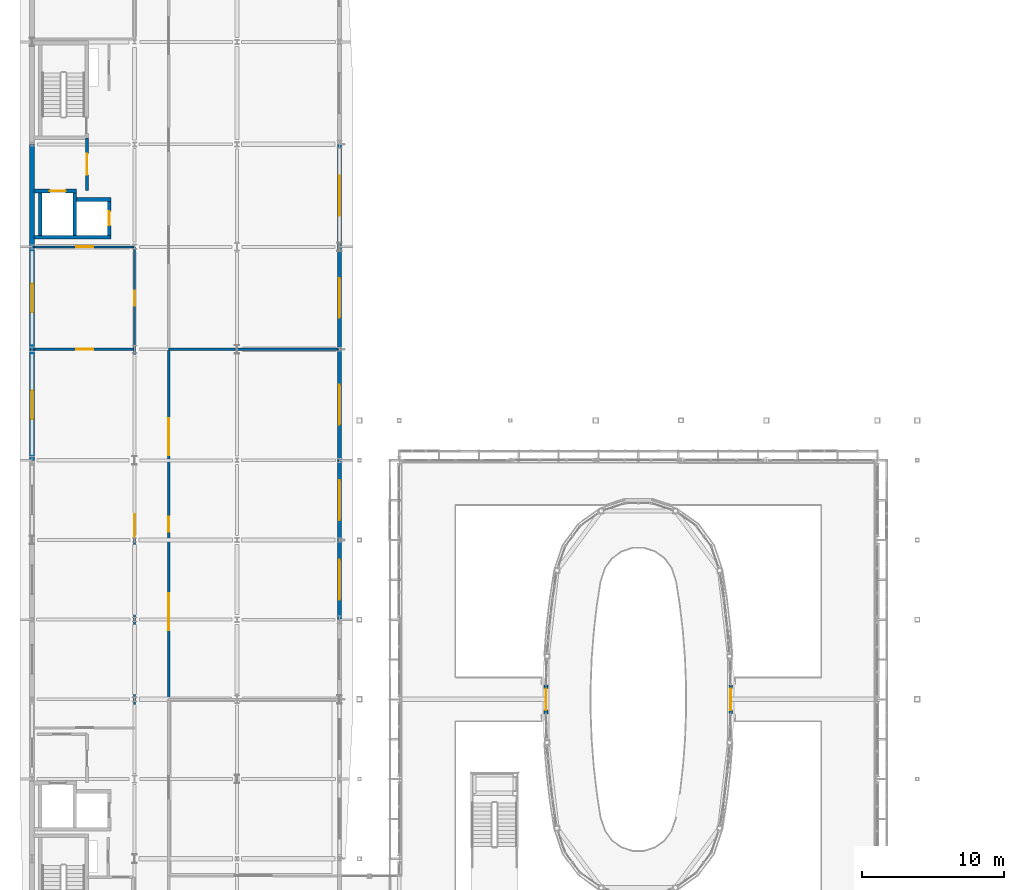
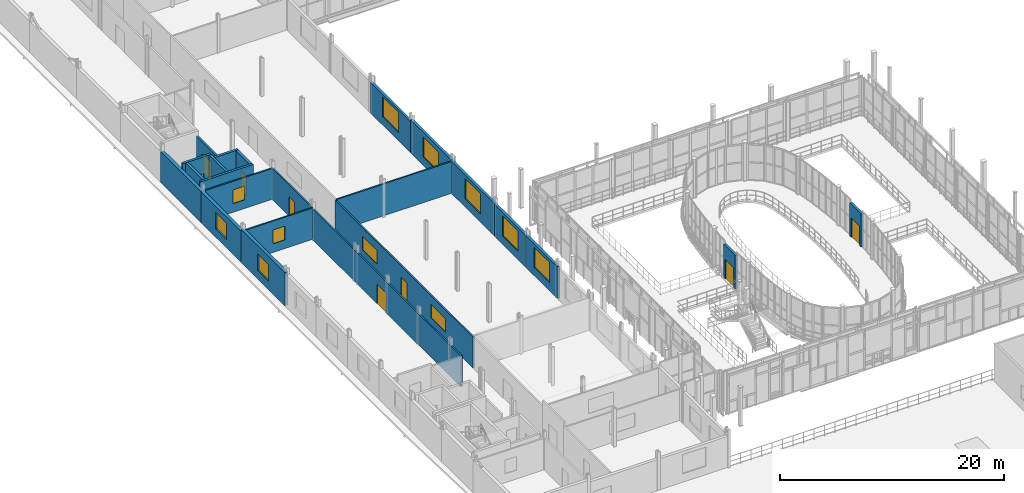
# One storey, part 116 of 138: 23 walls, 11 windows, 8 doors, 19 openings.
"""IFC4 building model written with IfcOpenShell, lengths in metres."""

from ifc_helpers import new_model, si_unit, direction, frame, frame_2d, origin, place, context, subcontext, project, spatial, rectangle, extrude, material, layer, layer_set, type_object, element, fill, save


model = new_model("IFC4")

# Units and contexts
model_context = context("Model", 3, precision=1e-05, world=origin(), true_north=direction((0.0, 1.0)))
body_context = subcontext(model_context, "Body", "Model", "MODEL_VIEW")
ifc_project = project(units=[si_unit("LENGTHUNIT", "METRE"), si_unit("AREAUNIT", "SQUARE_METRE"), si_unit("VOLUMEUNIT", "CUBIC_METRE"), si_unit("PLANEANGLEUNIT", "RADIAN"), si_unit("MASSUNIT", "GRAM", prefix="KILO")], contexts=[model_context])

# Site, building, storey
site_placement = place(None, origin())
site = spatial("IfcSite", under=ifc_project, at=site_placement, CompositionType="ELEMENT")
building_placement = place(site_placement, origin())
building = spatial("IfcBuilding", under=site, at=building_placement, Name="Vinh Khe Railworks Police Headquarters", CompositionType="ELEMENT")
storey_placement = place(building_placement, frame((0.0, 0.0, 9.0)))
storey = spatial("IfcBuildingStorey", under=building, at=storey_placement, Name="L02", CompositionType="ELEMENT", Elevation=9.0)

# Wall
ifc_material_1 = material(Name="Concrete C40/50 (B40)", Category="concrete")
ifc_layer_1 = layer(ifc_material_1, 0.25)
ifc_layer_set_1 = layer_set([ifc_layer_1], Name="Concrete C40/50 (B40)")
wall_type_1 = type_object("IfcWallType", Name="Core Shear Wall 250", PredefinedType="SHEAR", material=ifc_layer_set_1)
wall_1_placement = place(storey_placement, frame((0.75, 74.47509765625, 0.0), z_axis=(0.0, 0.0, 1.0), x_axis=(1.0, 0.0, 0.0)))
element("IfcWall", 1, at=wall_1_placement, inside=storey, type_object=wall_type_1, Name="Core C2 FL-S Lift Shaft Wall (L02)", PredefinedType="SHEAR", context=body_context, shape_type="SweptSolid", body=[
    extrude(rectangle(XDim=5.39990234375, YDim=0.25, at=frame_2d((2.699951171875, 0.0))), origin(), (0.0, 0.0, 1.0), 3.97998046875),
])

# Wall, opening, door
wall_2_placement = place(storey_placement, frame((0.75, 77.72509765625, 0.0), z_axis=(0.0, 0.0, 1.0), x_axis=(1.0, 0.0, 0.0)))
wall_2 = element("IfcWall", 2, at=wall_2_placement, inside=storey, type_object=wall_type_1, Name="Core C2 FL-N Lift Shaft Wall (L02)", PredefinedType="SHEAR", context=body_context, shape_type="SweptSolid", body=[
    extrude(rectangle(XDim=2.97509765625, YDim=0.25, at=frame_2d((1.487548828125, 0.0))), origin(), (0.0, 0.0, 1.0), 3.97998046875),
])
opening_1_placement = place(wall_2_placement, frame((1.10009765625, 0.0, 0.0)))
opening_1 = element("IfcOpeningElement", 3, at=opening_1_placement, cuts=wall_2, Name="Opening LD-01", PredefinedType="OPENING", context=body_context, shape_type="SweptSolid", body=[
    extrude(rectangle(XDim=1.10009765625, YDim=2.14990234375, at=frame_2d((0.550048828125, 1.074951171875))), frame((0.0, 0.139892578125, 0.0), z_axis=(0.0, -1.0, 0.0), x_axis=(1.0, 0.0, 0.0)), (0.0, 0.0, 1.0), 0.27978515625),
])
ifc_material_2 = material(Name="Painted galvanised steel", Category="steel")
door_type_1 = type_object("IfcDoorType", Name="LD-FF-1100", OperationType="SLIDING_TO_LEFT", PredefinedType="DOOR", material=ifc_material_2)
door_1_placement = place(opening_1_placement, origin())
door_1 = element("IfcDoor", 4, at=door_1_placement, inside=storey, type_object=door_type_1, Name="Firefighting Lift Landing Door FL-02 L02", OperationType="SLIDING_TO_LEFT", OverallHeight=2.14990234375, OverallWidth=1.10009765625, PredefinedType="DOOR", context=body_context, shape_type="SweptSolid", body=[
    extrude(rectangle(XDim=1.10009765625, YDim=2.14990234375, at=frame_2d((0.550048828125, 1.074951171875))), frame((0.0, 0.02490234375, 0.0), z_axis=(0.0, -1.0, 0.0), x_axis=(1.0, 0.0, 0.0)), (0.0, 0.0, 1.0), 0.050048828125),
])
fill(opening_1, door_1)

# Walls
wall_3_placement = place(storey_placement, frame((3.72509765625, 77.125, 0.0), z_axis=(0.0, 0.0, 1.0), x_axis=(1.0, 0.0, 0.0)))
element("IfcWall", 5, at=wall_3_placement, inside=storey, type_object=wall_type_1, Name="Core C2 PL-N Lift Shaft Wall (L02)", PredefinedType="SHEAR", context=body_context, shape_type="SweptSolid", body=[
    extrude(rectangle(XDim=2.4248046875, YDim=0.25, at=frame_2d((1.21240234375, 0.0))), origin(), (0.0, 0.0, 1.0), 3.97998046875),
])
for number, where, z_axis, x_axis, name in (
    (6, (1.175048828125, 74.60009765625, 0.0), (0.0, 0.0, 1.0), (0.0, 1.0, 0.0), "Core C2 FL-W Lift Shaft Wall (L02)"),
    (7, (3.60009765625, 74.60009765625, 0.0), (0.0, 0.0, 1.0), (0.0, 1.0, 0.0), "Core C2 LIFT-DIV Lift Shaft Wall (L02)"),
):
    element("IfcWall", number, at=place(storey_placement, frame(where, z_axis=z_axis, x_axis=x_axis)), inside=storey, type_object=wall_type_1, Name=name, PredefinedType="SHEAR", context=body_context, shape_type="SweptSolid", body=[
        extrude(rectangle(XDim=3.0, YDim=0.25, at=frame_2d((1.5, 0.0))), origin(), (0.0, 0.0, 1.0), 3.97998046875),
    ])

# Wall, opening, door
wall_4_placement = place(storey_placement, frame((6.02490234375, 74.60009765625, 0.0), z_axis=(0.0, 0.0, 1.0), x_axis=(0.0, 1.0, 0.0)))
wall_4 = element("IfcWall", 8, at=wall_4_placement, inside=storey, type_object=wall_type_1, Name="Core C2 PL-E Lift Shaft Wall (L02)", PredefinedType="SHEAR", context=body_context, shape_type="SweptSolid", body=[
    extrude(rectangle(XDim=2.39990234375, YDim=0.25, at=frame_2d((1.199951171875, 0.0))), origin(), (0.0, 0.0, 1.0), 3.97998046875),
])
opening_2_placement = place(wall_4_placement, frame((0.699951171875, 0.0, 0.0)))
opening_2 = element("IfcOpeningElement", 9, at=opening_2_placement, cuts=wall_4, Name="Opening LD-02", PredefinedType="OPENING", context=body_context, shape_type="SweptSolid", body=[
    extrude(rectangle(XDim=1.0, YDim=2.14990234375, at=frame_2d((0.5, 1.074951171875))), frame((0.0, 0.139892578125, 0.0), z_axis=(0.0, -1.0, 0.0), x_axis=(1.0, 0.0, 0.0)), (0.0, 0.0, 1.0), 0.27978515625),
])
door_type_2 = type_object("IfcDoorType", Name="LD-PAX-1000", OperationType="SLIDING_TO_RIGHT", PredefinedType="DOOR", material=ifc_material_2)
door_2_placement = place(opening_2_placement, frame((1.0, 0.0, 0.0), z_axis=(0.0, 0.0, 1.0), x_axis=(-1.0, 0.0, 0.0)))
door_2 = element("IfcDoor", 10, at=door_2_placement, inside=storey, type_object=door_type_2, Name="Passenger Lift Landing Door PL-02 L02", OperationType="SLIDING_TO_RIGHT", OverallHeight=2.14990234375, OverallWidth=1.0, PredefinedType="DOOR", context=body_context, shape_type="SweptSolid", body=[
    extrude(rectangle(XDim=1.0, YDim=2.14990234375, at=frame_2d((0.5, 1.074951171875))), frame((0.0, 0.02490234375, 0.0), z_axis=(0.0, -1.0, 0.0), x_axis=(1.0, 0.0, 0.0)), (0.0, 0.0, 1.0), 0.050048828125),
])
fill(opening_2, door_2)

# Wall, opening, window
ifc_material_3 = material(Name="Clay brickwork", Category="masonry")
ifc_layer_2 = layer(ifc_material_3, 0.260009765625)
ifc_layer_set_2 = layer_set([ifc_layer_2], Name="Clay brickwork")
wall_type_2 = type_object("IfcWallType", Name="EW-BRK-260", PredefinedType="SOLIDWALL", material=ifc_layer_set_2)
wall_5_placement = place(storey_placement, frame((22.199951171875, 47.60009765625, 0.0), z_axis=(0.0, 0.0, 1.0), x_axis=(0.0, 1.0, 0.0)))
wall_5 = element("IfcWall", 11, at=wall_5_placement, inside=storey, type_object=wall_type_2, Name="Exterior Brick Wall EW-L02-V5E-06", PredefinedType="SOLIDWALL", context=body_context, shape_type="SweptSolid", body=[
    extrude(rectangle(XDim=5.599853515625, YDim=0.260009765625, at=frame_2d((2.7998046875, 0.0))), origin(), (0.0, 0.0, 1.0), 3.47509765625),
])
opening_3_placement = place(wall_5_placement, frame((1.39990234375, 0.0, 0.89990234375)))
opening_3 = element("IfcOpeningElement", 12, at=opening_3_placement, cuts=wall_5, Name="Opening WN-01", PredefinedType="OPENING", context=body_context, shape_type="SweptSolid", body=[
    extrude(rectangle(XDim=2.800048828125, YDim=2.199951171875, at=frame_2d((1.39990234375, 1.10009765625))), frame((0.0, 0.14501953125, 0.0), z_axis=(0.0, -1.0, 0.0), x_axis=(1.0, 0.0, 0.0)), (0.0, 0.0, 1.0), 0.289794921875),
])
ifc_material_4 = material(Name="Double-glazed solar-control glass in dark steel frame", Category="steel")
window_type_1 = type_object("IfcWindowType", Name="WIN-WN-01", PartitioningType="DOUBLE_PANEL_VERTICAL", PredefinedType="WINDOW", material=ifc_material_4)
window_1_placement = place(opening_3_placement, origin())
window_1 = element("IfcWindow", 13, at=window_1_placement, inside=storey, type_object=window_type_1, Name="Casement Window WN-01", OverallHeight=2.199951171875, OverallWidth=2.800048828125, PartitioningType="SINGLE_PANEL", PredefinedType="WINDOW", context=body_context, shape_type="SweptSolid", body=[
    extrude(rectangle(XDim=2.800048828125, YDim=2.199951171875, at=frame_2d((1.39990234375, 1.10009765625))), frame((0.0, 0.030029296875, 0.0), z_axis=(0.0, -1.0, 0.0), x_axis=(1.0, 0.0, 0.0)), (0.0, 0.0, 1.0), 0.06005859375),
])
fill(opening_3, window_1)

wall_6_placement = place(storey_placement, frame((22.199951171875, 53.199951171875, 0.0), z_axis=(0.0, 0.0, 1.0), x_axis=(0.0, 1.0, 0.0)))
wall_6 = element("IfcWall", 14, at=wall_6_placement, inside=storey, type_object=wall_type_2, Name="Exterior Brick Wall EW-L02-V5E-07", PredefinedType="SOLIDWALL", context=body_context, shape_type="SweptSolid", body=[
    extrude(rectangle(XDim=5.60009765625, YDim=0.260009765625, at=frame_2d((2.800048828125, 0.0))), origin(), (0.0, 0.0, 1.0), 3.47509765625),
])
opening_4_placement = place(wall_6_placement, frame((1.39990234375, 0.0, 0.89990234375)))
opening_4 = element("IfcOpeningElement", 15, at=opening_4_placement, cuts=wall_6, Name="Opening WN-01", PredefinedType="OPENING", context=body_context, shape_type="SweptSolid", body=[
    extrude(rectangle(XDim=2.800048828125, YDim=2.199951171875, at=frame_2d((1.39990234375, 1.10009765625))), frame((0.0, 0.14501953125, 0.0), z_axis=(0.0, -1.0, 0.0), x_axis=(1.0, 0.0, 0.0)), (0.0, 0.0, 1.0), 0.289794921875),
])
window_2_placement = place(opening_4_placement, origin())
window_2 = element("IfcWindow", 16, at=window_2_placement, inside=storey, type_object=window_type_1, Name="Casement Window WN-01", OverallHeight=2.199951171875, OverallWidth=2.800048828125, PartitioningType="SINGLE_PANEL", PredefinedType="WINDOW", context=body_context, shape_type="SweptSolid", body=[
    extrude(rectangle(XDim=2.800048828125, YDim=2.199951171875, at=frame_2d((1.39990234375, 1.10009765625))), frame((0.0, 0.030029296875, 0.0), z_axis=(0.0, -1.0, 0.0), x_axis=(1.0, 0.0, 0.0)), (0.0, 0.0, 1.0), 0.06005859375),
])
fill(opening_4, window_2)

wall_7_placement = place(storey_placement, frame((22.199951171875, 58.800048828125, 0.0), z_axis=(0.0, 0.0, 1.0), x_axis=(0.0, 1.0, 0.0)))
wall_7 = element("IfcWall", 17, at=wall_7_placement, inside=storey, type_object=wall_type_2, Name="Exterior Brick Wall EW-L02-V5E-08", PredefinedType="SOLIDWALL", context=body_context, shape_type="SweptSolid", body=[
    extrude(rectangle(XDim=7.800048828125, YDim=0.260009765625, at=frame_2d((3.89990234375, 0.0))), origin(), (0.0, 0.0, 1.0), 3.52490234375),
])
opening_5_placement = place(wall_7_placement, frame((2.5, 0.0, 0.89990234375)))
opening_5 = element("IfcOpeningElement", 18, at=opening_5_placement, cuts=wall_7, Name="Opening WN-01", PredefinedType="OPENING", context=body_context, shape_type="SweptSolid", body=[
    extrude(rectangle(XDim=2.800048828125, YDim=2.199951171875, at=frame_2d((1.39990234375, 1.10009765625))), frame((0.0, 0.14501953125, 0.0), z_axis=(0.0, -1.0, 0.0), x_axis=(1.0, 0.0, 0.0)), (0.0, 0.0, 1.0), 0.289794921875),
])
window_3_placement = place(opening_5_placement, origin())
window_3 = element("IfcWindow", 19, at=window_3_placement, inside=storey, type_object=window_type_1, Name="Casement Window WN-01", OverallHeight=2.199951171875, OverallWidth=2.800048828125, PartitioningType="SINGLE_PANEL", PredefinedType="WINDOW", context=body_context, shape_type="SweptSolid", body=[
    extrude(rectangle(XDim=2.800048828125, YDim=2.199951171875, at=frame_2d((1.39990234375, 1.10009765625))), frame((0.0, 0.030029296875, 0.0), z_axis=(0.0, -1.0, 0.0), x_axis=(1.0, 0.0, 0.0)), (0.0, 0.0, 1.0), 0.06005859375),
])
fill(opening_5, window_3)

wall_8_placement = place(storey_placement, frame((22.199951171875, 66.60009765625, 0.0), z_axis=(0.0, 0.0, 1.0), x_axis=(0.0, 1.0, 0.0)))
wall_8 = element("IfcWall", 20, at=wall_8_placement, inside=storey, type_object=wall_type_2, Name="Exterior Brick Wall EW-L02-V5E-09", PredefinedType="SOLIDWALL", context=body_context, shape_type="SweptSolid", body=[
    extrude(rectangle(XDim=7.199951171875, YDim=0.260009765625, at=frame_2d((3.60009765625, 0.0))), origin(), (0.0, 0.0, 1.0), 3.625),
])
opening_6_placement = place(wall_8_placement, frame((2.199951171875, 0.0, 0.89990234375)))
opening_6 = element("IfcOpeningElement", 21, at=opening_6_placement, cuts=wall_8, Name="Opening WN-01", PredefinedType="OPENING", context=body_context, shape_type="SweptSolid", body=[
    extrude(rectangle(XDim=2.800048828125, YDim=2.199951171875, at=frame_2d((1.39990234375, 1.10009765625))), frame((0.0, 0.14501953125, 0.0), z_axis=(0.0, -1.0, 0.0), x_axis=(1.0, 0.0, 0.0)), (0.0, 0.0, 1.0), 0.289794921875),
])
window_4_placement = place(opening_6_placement, origin())
window_4 = element("IfcWindow", 22, at=window_4_placement, inside=storey, type_object=window_type_1, Name="Casement Window WN-01", OverallHeight=2.199951171875, OverallWidth=2.800048828125, PartitioningType="SINGLE_PANEL", PredefinedType="WINDOW", context=body_context, shape_type="SweptSolid", body=[
    extrude(rectangle(XDim=2.800048828125, YDim=2.199951171875, at=frame_2d((1.39990234375, 1.10009765625))), frame((0.0, 0.030029296875, 0.0), z_axis=(0.0, -1.0, 0.0), x_axis=(1.0, 0.0, 0.0)), (0.0, 0.0, 1.0), 0.06005859375),
])
fill(opening_6, window_4)

wall_9_placement = place(storey_placement, frame((22.199951171875, 73.800048828125, 0.0), z_axis=(0.0, 0.0, 1.0), x_axis=(0.0, 1.0, 0.0)))
wall_9 = element("IfcWall", 23, at=wall_9_placement, inside=storey, type_object=wall_type_2, Name="Exterior Brick Wall EW-L02-V5E-10", PredefinedType="SOLIDWALL", context=body_context, shape_type="SweptSolid", body=[
    extrude(rectangle(XDim=7.199951171875, YDim=0.260009765625, at=frame_2d((3.60009765625, 0.0))), origin(), (0.0, 0.0, 1.0), 3.375),
])
opening_7_placement = place(wall_9_placement, frame((2.199951171875, 0.0, 0.89990234375)))
opening_7 = element("IfcOpeningElement", 24, at=opening_7_placement, cuts=wall_9, Name="Opening WN-01", PredefinedType="OPENING", context=body_context, shape_type="SweptSolid", body=[
    extrude(rectangle(XDim=2.800048828125, YDim=2.199951171875, at=frame_2d((1.39990234375, 1.10009765625))), frame((0.0, 0.14501953125, 0.0), z_axis=(0.0, -1.0, 0.0), x_axis=(1.0, 0.0, 0.0)), (0.0, 0.0, 1.0), 0.289794921875),
])
window_5_placement = place(opening_7_placement, origin())
window_5 = element("IfcWindow", 25, at=window_5_placement, inside=storey, type_object=window_type_1, Name="Casement Window WN-01", OverallHeight=2.199951171875, OverallWidth=2.800048828125, PartitioningType="SINGLE_PANEL", PredefinedType="WINDOW", context=body_context, shape_type="SweptSolid", body=[
    extrude(rectangle(XDim=2.800048828125, YDim=2.199951171875, at=frame_2d((1.39990234375, 1.10009765625))), frame((0.0, 0.030029296875, 0.0), z_axis=(0.0, -1.0, 0.0), x_axis=(1.0, 0.0, 0.0)), (0.0, 0.0, 1.0), 0.06005859375),
])
fill(opening_7, window_5)

# Wall, opening, door
wall_10_placement = place(storey_placement, frame((49.690185546875, 40.98876953125, 0.0), z_axis=(0.0, 0.0, 1.0), x_axis=(0.0, 1.0, 0.0)))
wall_10 = element("IfcWall", 26, at=wall_10_placement, inside=storey, type_object=wall_type_2, Name="Command Drum Portal Wall L02 C04", PredefinedType="SOLIDWALL", context=body_context, shape_type="SweptSolid", body=[
    extrude(rectangle(XDim=2.0224609375, YDim=0.260009765625, at=frame_2d((1.01123046875, 0.0))), origin(), (0.0, 0.0, 1.0), 3.64501953125),
])
opening_8_placement = place(wall_10_placement, frame((0.26123046875, 0.0, 0.0)))
opening_8 = element("IfcOpeningElement", 27, at=opening_8_placement, cuts=wall_10, Name="Opening FD-02", PredefinedType="OPENING", context=body_context, shape_type="SweptSolid", body=[
    extrude(rectangle(XDim=1.5, YDim=2.14990234375, at=frame_2d((0.75, 1.074951171875))), frame((0.0, 0.14501953125, 0.0), z_axis=(0.0, -1.0, 0.0), x_axis=(1.0, 0.0, 0.0)), (0.0, 0.0, 1.0), 0.289794921875),
])
door_type_3 = type_object("IfcDoorType", Name="FD-1500x2150", OperationType="DOUBLE_DOOR_SINGLE_SWING", PredefinedType="DOOR", material=ifc_material_2)
door_3_placement = place(opening_8_placement, origin())
door_3 = element("IfcDoor", 28, at=door_3_placement, inside=storey, type_object=door_type_3, Name="Command Drum Acoustic Portal Door L02 C04", OperationType="DOUBLE_DOOR_SINGLE_SWING", OverallHeight=2.14990234375, OverallWidth=1.5, PredefinedType="DOOR", context=body_context, shape_type="SweptSolid", body=[
    extrude(rectangle(XDim=1.5, YDim=2.14990234375, at=frame_2d((0.75, 1.074951171875))), frame((0.0, 0.02490234375, 0.0), z_axis=(0.0, -1.0, 0.0), x_axis=(1.0, 0.0, 0.0)), (0.0, 0.0, 1.0), 0.050048828125),
])
fill(opening_8, door_3)

wall_11_placement = place(storey_placement, frame((36.709716796875, 43.01123046875, 0.0), z_axis=(0.0, 0.0, 1.0), x_axis=(0.0, -1.0, 0.0)))
wall_11 = element("IfcWall", 29, at=wall_11_placement, inside=storey, type_object=wall_type_2, Name="Command Drum Portal Wall L02 C22", PredefinedType="SOLIDWALL", context=body_context, shape_type="SweptSolid", body=[
    extrude(rectangle(XDim=2.0224609375, YDim=0.260009765625, at=frame_2d((1.01123046875, 0.0))), origin(), (0.0, 0.0, 1.0), 3.64501953125),
])
opening_9_placement = place(wall_11_placement, frame((0.26123046875, 0.0, 0.0)))
opening_9 = element("IfcOpeningElement", 30, at=opening_9_placement, cuts=wall_11, Name="Opening FD-02", PredefinedType="OPENING", context=body_context, shape_type="SweptSolid", body=[
    extrude(rectangle(XDim=1.5, YDim=2.14990234375, at=frame_2d((0.75, 1.074951171875))), frame((0.0, 0.14501953125, 0.0), z_axis=(0.0, -1.0, 0.0), x_axis=(1.0, 0.0, 0.0)), (0.0, 0.0, 1.0), 0.289794921875),
])
door_4_placement = place(opening_9_placement, origin())
door_4 = element("IfcDoor", 31, at=door_4_placement, inside=storey, type_object=door_type_3, Name="Command Drum Acoustic Portal Door L02 C22", OperationType="DOUBLE_DOOR_SINGLE_SWING", OverallHeight=2.14990234375, OverallWidth=1.5, PredefinedType="DOOR", context=body_context, shape_type="SweptSolid", body=[
    extrude(rectangle(XDim=1.5, YDim=2.14990234375, at=frame_2d((0.75, 1.074951171875))), frame((0.0, 0.02490234375, 0.0), z_axis=(0.0, -1.0, 0.0), x_axis=(1.0, 0.0, 0.0)), (0.0, 0.0, 1.0), 0.050048828125),
])
fill(opening_9, door_4)

# Wall, opening, window
ifc_layer_3 = layer(ifc_material_3, 0.340087890625)
ifc_layer_set_3 = layer_set([ifc_layer_3], Name="Clay brickwork")
wall_type_3 = type_object("IfcWallType", Name="EW-BRK-340", PredefinedType="SOLIDWALL", material=ifc_layer_set_3)
wall_12_placement = place(storey_placement, frame((0.60009765625, 58.800048828125, 0.0), z_axis=(0.0, 0.0, 1.0), x_axis=(0.0, 1.0, 0.0)))
wall_12 = element("IfcWall", 32, at=wall_12_placement, inside=storey, type_object=wall_type_3, Name="Exterior Brick Wall EW-L02-V5W-08", PredefinedType="SOLIDWALL", context=body_context, shape_type="SweptSolid", body=[
    extrude(rectangle(XDim=7.800048828125, YDim=0.340087890625, at=frame_2d((3.89990234375, 0.0))), origin(), (0.0, 0.0, 1.0), 3.625),
])
opening_10_placement = place(wall_12_placement, frame((2.89990234375, 0.0, 0.89990234375)))
opening_10 = element("IfcOpeningElement", 33, at=opening_10_placement, cuts=wall_12, Name="Opening WN-04", PredefinedType="OPENING", context=body_context, shape_type="SweptSolid", body=[
    extrude(rectangle(XDim=2.0, YDim=1.800048828125, at=frame_2d((1.0, 0.89990234375))), frame((0.0, 0.18505859375, 0.0), z_axis=(0.0, -1.0, 0.0), x_axis=(1.0, 0.0, 0.0)), (0.0, 0.0, 1.0), 0.369873046875),
])
window_type_2 = type_object("IfcWindowType", Name="WIN-WN-04", PartitioningType="DOUBLE_PANEL_VERTICAL", PredefinedType="WINDOW", material=ifc_material_4)
window_6_placement = place(opening_10_placement, origin())
window_6 = element("IfcWindow", 34, at=window_6_placement, inside=storey, type_object=window_type_2, Name="Casement Window WN-04", OverallHeight=1.800048828125, OverallWidth=2.0, PartitioningType="SINGLE_PANEL", PredefinedType="WINDOW", context=body_context, shape_type="SweptSolid", body=[
    extrude(rectangle(XDim=2.0, YDim=1.800048828125, at=frame_2d((1.0, 0.89990234375))), frame((0.0, 0.030029296875, 0.0), z_axis=(0.0, -1.0, 0.0), x_axis=(1.0, 0.0, 0.0)), (0.0, 0.0, 1.0), 0.06005859375),
])
fill(opening_10, window_6)

wall_13_placement = place(storey_placement, frame((0.60009765625, 66.60009765625, 0.0), z_axis=(0.0, 0.0, 1.0), x_axis=(0.0, 1.0, 0.0)))
wall_13 = element("IfcWall", 35, at=wall_13_placement, inside=storey, type_object=wall_type_3, Name="Exterior Brick Wall EW-L02-V5W-09", PredefinedType="SOLIDWALL", context=body_context, shape_type="SweptSolid", body=[
    extrude(rectangle(XDim=7.199951171875, YDim=0.340087890625, at=frame_2d((3.60009765625, 0.0))), origin(), (0.0, 0.0, 1.0), 3.375),
])
opening_11_placement = place(wall_13_placement, frame((2.60009765625, 0.0, 0.89990234375)))
opening_11 = element("IfcOpeningElement", 36, at=opening_11_placement, cuts=wall_13, Name="Opening WN-04", PredefinedType="OPENING", context=body_context, shape_type="SweptSolid", body=[
    extrude(rectangle(XDim=2.0, YDim=1.800048828125, at=frame_2d((1.0, 0.89990234375))), frame((0.0, 0.18505859375, 0.0), z_axis=(0.0, -1.0, 0.0), x_axis=(1.0, 0.0, 0.0)), (0.0, 0.0, 1.0), 0.369873046875),
])
window_7_placement = place(opening_11_placement, origin())
window_7 = element("IfcWindow", 37, at=window_7_placement, inside=storey, type_object=window_type_2, Name="Casement Window WN-04", OverallHeight=1.800048828125, OverallWidth=2.0, PartitioningType="SINGLE_PANEL", PredefinedType="WINDOW", context=body_context, shape_type="SweptSolid", body=[
    extrude(rectangle(XDim=2.0, YDim=1.800048828125, at=frame_2d((1.0, 0.89990234375))), frame((0.0, 0.030029296875, 0.0), z_axis=(0.0, -1.0, 0.0), x_axis=(1.0, 0.0, 0.0)), (0.0, 0.0, 1.0), 0.06005859375),
])
fill(opening_11, window_7)

# Wall
wall_14_placement = place(storey_placement, frame((0.60009765625, 73.800048828125, 0.0), z_axis=(0.0, 0.0, 1.0), x_axis=(0.0, 1.0, 0.0)))
element("IfcWall", 38, at=wall_14_placement, inside=storey, type_object=wall_type_3, Name="Exterior Brick Wall EW-L02-V5W-10", PredefinedType="SOLIDWALL", context=body_context, shape_type="SweptSolid", body=[
    extrude(rectangle(XDim=7.199951171875, YDim=0.340087890625, at=frame_2d((3.60009765625, 0.0))), origin(), (0.0, 0.0, 1.0), 3.375),
])

# Wall, opening, door
ifc_material_5 = material(Name="Autoclaved aerated concrete blockwork", Category="masonry")
ifc_layer_4 = layer(ifc_material_5, 0.199951171875)
ifc_layer_set_4 = layer_set([ifc_layer_4], Name="Autoclaved aerated concrete blockwork")
wall_type_4 = type_object("IfcWallType", Name="IW-BLK-200", PredefinedType="PARTITIONING", material=ifc_layer_set_4)
wall_15_placement = place(storey_placement, frame((4.449951171875, 77.75, 0.0), z_axis=(0.0, 0.0, 1.0), x_axis=(0.0, 1.0, 0.0)))
wall_15 = element("IfcWall", 39, at=wall_15_placement, inside=storey, type_object=wall_type_4, Name="Interior Partition W-FFL-C2-E-L02", PredefinedType="PARTITIONING", context=body_context, shape_type="SweptSolid", body=[
    extrude(rectangle(XDim=3.699951171875, YDim=0.199951171875, at=frame_2d((1.85009765625, 0.0))), origin(), (0.0, 0.0, 1.0), 3.425048828125),
])
opening_12_placement = place(wall_15_placement, frame((1.10009765625, 0.0, 0.0)))
opening_12 = element("IfcOpeningElement", 40, at=opening_12_placement, cuts=wall_15, Name="Opening FD-02", PredefinedType="OPENING", context=body_context, shape_type="SweptSolid", body=[
    extrude(rectangle(XDim=1.5, YDim=2.14990234375, at=frame_2d((0.75, 1.074951171875))), frame((0.0, 0.11474609375, 0.0), z_axis=(0.0, -1.0, 0.0), x_axis=(1.0, 0.0, 0.0)), (0.0, 0.0, 1.0), 0.229736328125),
])
door_5_placement = place(opening_12_placement, origin())
door_5 = element("IfcDoor", 41, at=door_5_placement, inside=storey, type_object=door_type_3, Name="Firefighting Lobby Fire Door", OperationType="DOUBLE_DOOR_SINGLE_SWING", OverallHeight=2.14990234375, OverallWidth=1.5, PredefinedType="DOOR", context=body_context, shape_type="SweptSolid", body=[
    extrude(rectangle(XDim=1.5, YDim=2.14990234375, at=frame_2d((0.75, 1.074951171875))), frame((0.0, 0.02490234375, 0.0), z_axis=(0.0, -1.0, 0.0), x_axis=(1.0, 0.0, 0.0)), (0.0, 0.0, 1.0), 0.050048828125),
])
fill(opening_12, door_5)

# Wall, opening, window
ifc_material_6 = material(Name="Gypsum plasterboard on steel stud", Category="steel")
ifc_layer_5 = layer(ifc_material_6, 0.1201171875)
ifc_layer_set_5 = layer_set([ifc_layer_5], Name="Gypsum plasterboard on steel stud")
wall_type_5 = type_object("IfcWallType", Name="IW-PART-120", PredefinedType="PARTITIONING", material=ifc_layer_set_5)
wall_16_placement = place(storey_placement, frame((0.780029296875, 66.60009765625, 0.0), z_axis=(0.0, 0.0, 1.0), x_axis=(1.0, 0.0, 0.0)))
wall_16 = element("IfcWall", 42, at=wall_16_placement, inside=storey, type_object=wall_type_5, Name="Interior Partition W-L02-V5-CONF2-DIV", PredefinedType="PARTITIONING", context=body_context, shape_type="SweptSolid", body=[
    extrude(rectangle(XDim=7.02001953125, YDim=0.14990234375, at=frame_2d((3.510009765625, 0.0))), origin(), (0.0, 0.0, 1.0), 3.425048828125),
])
opening_13_placement = place(wall_16_placement, frame((2.909912109375, 0.0, 0.949951171875)))
opening_13 = element("IfcOpeningElement", 43, at=opening_13_placement, cuts=wall_16, Name="Opening WN-10", PredefinedType="OPENING", context=body_context, shape_type="SweptSolid", body=[
    extrude(rectangle(XDim=1.199951171875, YDim=1.5, at=frame_2d((0.60009765625, 0.75))), frame((0.0, 0.08984375, 0.0), z_axis=(0.0, -1.0, 0.0), x_axis=(1.0, 0.0, 0.0)), (0.0, 0.0, 1.0), 0.1796875),
])
window_type_3 = type_object("IfcWindowType", Name="WIN-WN-10", PartitioningType="SINGLE_PANEL", PredefinedType="WINDOW", material=ifc_material_4)
window_8_placement = place(opening_13_placement, origin())
window_8 = element("IfcWindow", 44, at=window_8_placement, inside=storey, type_object=window_type_3, Name="Interior Acoustic Vision Window WN-10", OverallHeight=1.5, OverallWidth=1.199951171875, PartitioningType="SINGLE_PANEL", PredefinedType="WINDOW", context=body_context, shape_type="SweptSolid", body=[
    extrude(rectangle(XDim=1.199951171875, YDim=1.5, at=frame_2d((0.60009765625, 0.75))), frame((0.0, 0.030029296875, 0.0), z_axis=(0.0, -1.0, 0.0), x_axis=(1.0, 0.0, 0.0)), (0.0, 0.0, 1.0), 0.06005859375),
])
fill(opening_13, window_8)

wall_17_placement = place(storey_placement, frame((0.780029296875, 73.800048828125, 0.0), z_axis=(0.0, 0.0, 1.0), x_axis=(1.0, 0.0, 0.0)))
wall_17 = element("IfcWall", 45, at=wall_17_placement, inside=storey, type_object=wall_type_5, Name="Interior Partition W-L02-V5-CONF2-ENDN", PredefinedType="PARTITIONING", context=body_context, shape_type="SweptSolid", body=[
    extrude(rectangle(XDim=7.02001953125, YDim=0.14990234375, at=frame_2d((3.510009765625, 0.0))), origin(), (0.0, 0.0, 1.0), 3.375),
])
opening_14_placement = place(wall_17_placement, frame((2.909912109375, 0.0, 0.949951171875)))
opening_14 = element("IfcOpeningElement", 46, at=opening_14_placement, cuts=wall_17, Name="Opening WN-10", PredefinedType="OPENING", context=body_context, shape_type="SweptSolid", body=[
    extrude(rectangle(XDim=1.199951171875, YDim=1.5, at=frame_2d((0.60009765625, 0.75))), frame((0.0, 0.08984375, 0.0), z_axis=(0.0, -1.0, 0.0), x_axis=(1.0, 0.0, 0.0)), (0.0, 0.0, 1.0), 0.1796875),
])
window_9_placement = place(opening_14_placement, origin())
window_9 = element("IfcWindow", 47, at=window_9_placement, inside=storey, type_object=window_type_3, Name="Interior Acoustic Vision Window WN-10", OverallHeight=1.5, OverallWidth=1.199951171875, PartitioningType="SINGLE_PANEL", PredefinedType="WINDOW", context=body_context, shape_type="SweptSolid", body=[
    extrude(rectangle(XDim=1.199951171875, YDim=1.5, at=frame_2d((0.60009765625, 0.75))), frame((0.0, 0.030029296875, 0.0), z_axis=(0.0, -1.0, 0.0), x_axis=(1.0, 0.0, 0.0)), (0.0, 0.0, 1.0), 0.06005859375),
])
fill(opening_14, window_9)

# Wall
wall_18_placement = place(storey_placement, frame((10.199951171875, 66.60009765625, 0.0), z_axis=(0.0, 0.0, 1.0), x_axis=(1.0, 0.0, 0.0)))
element("IfcWall", 48, at=wall_18_placement, inside=storey, type_object=wall_type_5, Name="Interior Partition W-L02-V5-PAT2-DIV", PredefinedType="PARTITIONING", context=body_context, shape_type="SweptSolid", body=[
    extrude(rectangle(XDim=11.860107421875, YDim=0.14990234375, at=frame_2d((5.93017578125, 0.0))), origin(), (0.0, 0.0, 1.0), 3.47509765625),
])

# Wall, opening, door
ifc_material_7 = material(Name="Gypsum plasterboard on acoustic steel stud", Category="steel")
ifc_layer_6 = layer(ifc_material_7, 0.14990234375)
ifc_layer_set_6 = layer_set([ifc_layer_6], Name="Gypsum plasterboard on acoustic steel stud")
wall_type_6 = type_object("IfcWallType", Name="IW-PART-150", PredefinedType="PARTITIONING", material=ifc_layer_set_6)
wall_19_placement = place(storey_placement, frame((7.800048828125, 40.0, 0.0), z_axis=(0.0, 0.0, 1.0), x_axis=(0.0, 1.0, 0.0)))
wall_19 = element("IfcWall", 49, at=wall_19_placement, inside=storey, type_object=wall_type_6, Name="Interior Partition W-L02-V5-TRF2-CW", PredefinedType="PARTITIONING", context=body_context, shape_type="SweptSolid", body=[
    extrude(rectangle(XDim=26.60009765625, YDim=0.14990234375, at=frame_2d((13.300048828125, 0.0))), origin(), (0.0, 0.0, 1.0), 3.375),
])
opening_15_placement = place(wall_19_placement, frame((13.39990234375, 0.0, 0.0)))
opening_15 = element("IfcOpeningElement", 50, at=opening_15_placement, cuts=wall_19, Name="Opening D-03", PredefinedType="OPENING", context=body_context, shape_type="SweptSolid", body=[
    extrude(rectangle(XDim=1.60009765625, YDim=2.14990234375, at=frame_2d((0.800048828125, 1.074951171875))), frame((0.0, 0.08984375, 0.0), z_axis=(0.0, -1.0, 0.0), x_axis=(1.0, 0.0, 0.0)), (0.0, 0.0, 1.0), 0.1796875),
])
door_type_4 = type_object("IfcDoorType", Name="ID-1600x2150", OperationType="DOUBLE_DOOR_SINGLE_SWING", PredefinedType="DOOR", material=ifc_material_2)
door_6_placement = place(opening_15_placement, origin())
door_6 = element("IfcDoor", 51, at=door_6_placement, inside=storey, type_object=door_type_4, Name="Municipal Traffic Operations Bureau Door", OperationType="DOUBLE_DOOR_SINGLE_SWING", OverallHeight=2.14990234375, OverallWidth=1.60009765625, PredefinedType="DOOR", context=body_context, shape_type="SweptSolid", body=[
    extrude(rectangle(XDim=1.60009765625, YDim=2.14990234375, at=frame_2d((0.800048828125, 1.074951171875))), frame((0.0, 0.02490234375, 0.0), z_axis=(0.0, -1.0, 0.0), x_axis=(1.0, 0.0, 0.0)), (0.0, 0.0, 1.0), 0.050048828125),
])
fill(opening_15, door_6)

wall_20_placement = place(storey_placement, frame((7.800048828125, 66.60009765625, 0.0), z_axis=(0.0, 0.0, 1.0), x_axis=(0.0, 1.0, 0.0)))
wall_20 = element("IfcWall", 52, at=wall_20_placement, inside=storey, type_object=wall_type_6, Name="Interior Partition W-L02-V5-CONF2-CW", PredefinedType="PARTITIONING", context=body_context, shape_type="SweptSolid", body=[
    extrude(rectangle(XDim=7.199951171875, YDim=0.14990234375, at=frame_2d((3.60009765625, 0.0))), origin(), (0.0, 0.0, 1.0), 3.425048828125),
])
opening_16_placement = place(wall_20_placement, frame((3.074951171875, 0.0, 0.0)))
opening_16 = element("IfcOpeningElement", 53, at=opening_16_placement, cuts=wall_20, Name="Opening D-02", PredefinedType="OPENING", context=body_context, shape_type="SweptSolid", body=[
    extrude(rectangle(XDim=1.050048828125, YDim=2.14990234375, at=frame_2d((0.52490234375, 1.074951171875))), frame((0.0, 0.08984375, 0.0), z_axis=(0.0, -1.0, 0.0), x_axis=(1.0, 0.0, 0.0)), (0.0, 0.0, 1.0), 0.1796875),
])
ifc_material_8 = material(Name="Seasoned hardwood timber", Category="wood")
door_type_5 = type_object("IfcDoorType", Name="ID-1050x2150", OperationType="NOTDEFINED", PredefinedType="DOOR", material=ifc_material_8)
door_7_placement = place(opening_16_placement, origin())
door_7 = element("IfcDoor", 54, at=door_7_placement, inside=storey, type_object=door_type_5, Name="Case Strategy Conference Room Door", OperationType="SINGLE_SWING_LEFT", OverallHeight=2.14990234375, OverallWidth=1.050048828125, PredefinedType="DOOR", context=body_context, shape_type="SweptSolid", body=[
    extrude(rectangle(XDim=1.050048828125, YDim=2.14990234375, at=frame_2d((0.52490234375, 1.074951171875))), frame((0.0, 0.02490234375, 0.0), z_axis=(0.0, -1.0, 0.0), x_axis=(1.0, 0.0, 0.0)), (0.0, 0.0, 1.0), 0.050048828125),
])
fill(opening_16, door_7)

# Wall, openings, door, windows
wall_21_placement = place(storey_placement, frame((10.199951171875, 42.0, 0.0), z_axis=(0.0, 0.0, 1.0), x_axis=(0.0, 1.0, 0.0)))
wall_21 = element("IfcWall", 55, at=wall_21_placement, inside=storey, type_object=wall_type_6, Name="Interior Partition W-L02-V5-ANL2-CE", PredefinedType="PARTITIONING", context=body_context, shape_type="SweptSolid", body=[
    extrude(rectangle(XDim=24.60009765625, YDim=0.14990234375, at=frame_2d((12.300048828125, 0.0))), origin(), (0.0, 0.0, 1.0), 3.375),
])
opening_17_placement = place(wall_21_placement, frame((11.77490234375, 0.0, 0.0)))
opening_17 = element("IfcOpeningElement", 56, at=opening_17_placement, cuts=wall_21, Name="Opening D-02", PredefinedType="OPENING", context=body_context, shape_type="SweptSolid", body=[
    extrude(rectangle(XDim=1.050048828125, YDim=2.14990234375, at=frame_2d((0.52490234375, 1.074951171875))), frame((0.0, 0.08984375, 0.0), z_axis=(0.0, -1.0, 0.0), x_axis=(1.0, 0.0, 0.0)), (0.0, 0.0, 1.0), 0.1796875),
])
opening_18_placement = place(wall_21_placement, frame((4.85009765625, 0.0, 0.949951171875)))
opening_18 = element("IfcOpeningElement", 57, at=opening_18_placement, cuts=wall_21, Name="Opening WN-07", PredefinedType="OPENING", context=body_context, shape_type="SweptSolid", body=[
    extrude(rectangle(XDim=2.60009765625, YDim=1.5, at=frame_2d((1.300048828125, 0.75))), frame((0.0, 0.08984375, 0.0), z_axis=(0.0, -1.0, 0.0), x_axis=(1.0, 0.0, 0.0)), (0.0, 0.0, 1.0), 0.1796875),
])
opening_19_placement = place(wall_21_placement, frame((17.14990234375, 0.0, 0.949951171875)))
opening_19 = element("IfcOpeningElement", 58, at=opening_19_placement, cuts=wall_21, Name="Opening WN-07", PredefinedType="OPENING", context=body_context, shape_type="SweptSolid", body=[
    extrude(rectangle(XDim=2.60009765625, YDim=1.5, at=frame_2d((1.300048828125, 0.75))), frame((0.0, 0.08984375, 0.0), z_axis=(0.0, -1.0, 0.0), x_axis=(1.0, 0.0, 0.0)), (0.0, 0.0, 1.0), 0.1796875),
])
door_8_placement = place(opening_17_placement, origin())
door_8 = element("IfcDoor", 59, at=door_8_placement, inside=storey, type_object=door_type_5, Name="Road Safety Analytics Office Door", OperationType="SINGLE_SWING_LEFT", OverallHeight=2.14990234375, OverallWidth=1.050048828125, PredefinedType="DOOR", context=body_context, shape_type="SweptSolid", body=[
    extrude(rectangle(XDim=1.050048828125, YDim=2.14990234375, at=frame_2d((0.52490234375, 1.074951171875))), frame((0.0, 0.02490234375, 0.0), z_axis=(0.0, -1.0, 0.0), x_axis=(1.0, 0.0, 0.0)), (0.0, 0.0, 1.0), 0.050048828125),
])
fill(opening_17, door_8)
window_type_4 = type_object("IfcWindowType", Name="WIN-WN-07", PartitioningType="DOUBLE_PANEL_HORIZONTAL", PredefinedType="WINDOW", material=ifc_material_4)
window_10_placement = place(opening_18_placement, origin())
window_10 = element("IfcWindow", 60, at=window_10_placement, inside=storey, type_object=window_type_4, Name="Interior Acoustic Vision Window WN-07", OverallHeight=1.5, OverallWidth=2.60009765625, PartitioningType="SINGLE_PANEL", PredefinedType="WINDOW", context=body_context, shape_type="SweptSolid", body=[
    extrude(rectangle(XDim=2.60009765625, YDim=1.5, at=frame_2d((1.300048828125, 0.75))), frame((0.0, 0.030029296875, 0.0), z_axis=(0.0, -1.0, 0.0), x_axis=(1.0, 0.0, 0.0)), (0.0, 0.0, 1.0), 0.06005859375),
])
fill(opening_18, window_10)
window_11_placement = place(opening_19_placement, origin())
window_11 = element("IfcWindow", 61, at=window_11_placement, inside=storey, type_object=window_type_4, Name="Interior Acoustic Vision Window WN-07", OverallHeight=1.5, OverallWidth=2.60009765625, PartitioningType="SINGLE_PANEL", PredefinedType="WINDOW", context=body_context, shape_type="SweptSolid", body=[
    extrude(rectangle(XDim=2.60009765625, YDim=1.5, at=frame_2d((1.300048828125, 0.75))), frame((0.0, 0.030029296875, 0.0), z_axis=(0.0, -1.0, 0.0), x_axis=(1.0, 0.0, 0.0)), (0.0, 0.0, 1.0), 0.06005859375),
])
fill(opening_19, window_11)

save(model, "model.ifc")
